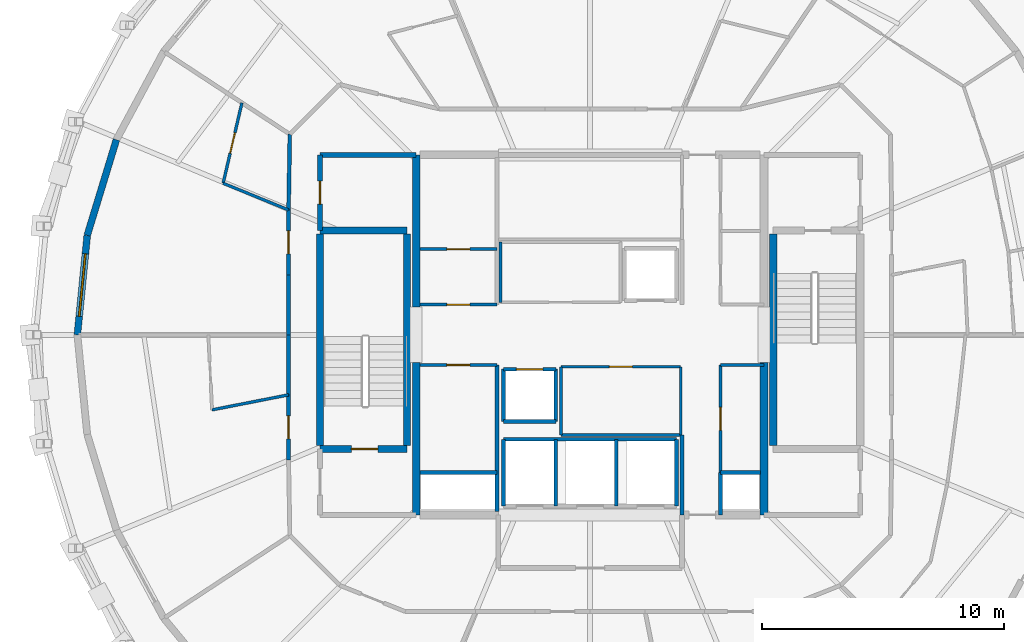
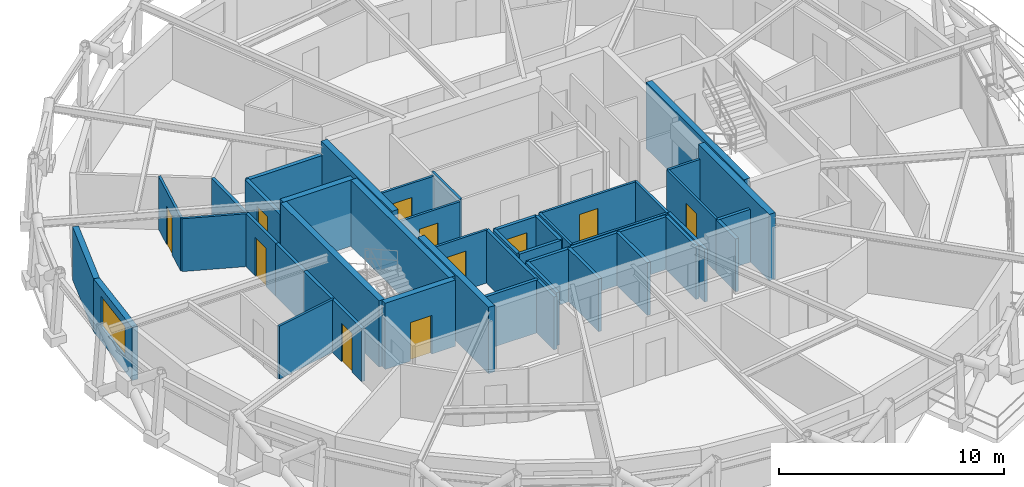
# One storey, part 8 of 12: 44 walls, 11 doors, 1 window, 12 openings.
"""IFC4 building model written with IfcOpenShell, lengths in metres."""

from ifc_helpers import new_model, si_unit, direction, frame, frame_2d, origin, place, context, subcontext, project, spatial, rectangle, extrude, material, layer, layer_set, type_object, element, fill, save


model = new_model("IFC4")

# Units and contexts
model_context = context("Model", 3, precision=1e-05, world=origin(), true_north=direction((0.0, 1.0)))
body_context = subcontext(model_context, "Body", "Model", "MODEL_VIEW")
ifc_project = project(units=[si_unit("LENGTHUNIT", "METRE"), si_unit("AREAUNIT", "SQUARE_METRE"), si_unit("VOLUMEUNIT", "CUBIC_METRE"), si_unit("PLANEANGLEUNIT", "RADIAN"), si_unit("MASSUNIT", "GRAM", prefix="KILO")], contexts=[model_context])

# Site, building, storey
site_placement = place(None, origin())
site = spatial("IfcSite", under=ifc_project, at=site_placement, CompositionType="ELEMENT")
building_placement = place(site_placement, origin())
building = spatial("IfcBuilding", under=site, at=building_placement, Name="Veldorina Hangang Commons", CompositionType="ELEMENT")
storey_placement = place(building_placement, frame((0.0, 0.0, 247.199951171875)))
storey = spatial("IfcBuildingStorey", under=building, at=storey_placement, Name="L64", CompositionType="ELEMENT", Elevation=247.199951171875)

# Walls
ifc_material_1 = material(Name="Concrete C50/60", Category="concrete")
ifc_layer_1 = layer(ifc_material_1, 0.320068359375)
ifc_layer_set_1 = layer_set([ifc_layer_1], Name="Concrete C50/60")
wall_type_1 = type_object("IfcWallType", Name="CW-RC320-C50", PredefinedType="SHEAR", material=ifc_layer_set_1)
for number, where, z_axis, x_axis, name in (
    (1, (24.800048828125, 16.550048828125, 0.0), (0.0, 0.0, 1.0), (0.0, 1.0, 0.0), "L64 W south core shear wall"),
    (2, (24.800048828125, 25.14990234375, 0.0), (0.0, 0.0, 1.0), (0.0, 1.0, 0.0), "L64 W north core shear wall"),
    (3, (39.199951171875, 16.550048828125, 0.0), (0.0, 0.0, 1.0), (0.0, 1.0, 0.0), "L64 E south core shear wall"),
):
    element("IfcWall", number, at=place(storey_placement, frame(where, z_axis=z_axis, x_axis=x_axis)), inside=storey, type_object=wall_type_1, Name=name, PredefinedType="SHEAR", context=body_context, shape_type="SweptSolid", body=[
        extrude(rectangle(XDim=6.300048828125, YDim=0.320068359375, at=frame_2d((3.14990234375, 0.0))), origin(), (0.0, 0.0, 1.0), 3.60009765625),
    ])
ifc_material_2 = material(Name="Stone Roman Travertine", Category="masonry")
ifc_layer_2 = layer(ifc_material_2, 0.280029296875)
ifc_layer_set_2 = layer_set([ifc_layer_2], Name="Stone Roman Travertine")
wall_type_2 = type_object("IfcWallType", Name="EW-TRAV-280", PredefinedType="STANDARD", material=ifc_layer_set_2)
wall_1_placement = place(storey_placement, frame((12.3955078125, 32.078369140625, 0.0), z_axis=(0.0, 0.0, 1.0), x_axis=(-0.291673136786, -0.95651805068, 0.0)))
element("IfcWall", 4, at=wall_1_placement, inside=storey, type_object=wall_type_2, Name="L64 travertine facade wall 14", PredefinedType="STANDARD", context=body_context, shape_type="SweptSolid", body=[
    extrude(rectangle(XDim=4.139892578125, YDim=0.280029296875, at=frame_2d((2.06982421875, 0.0))), origin(), (0.0, 0.0, 1.0), 2.880126953125),
])

# Wall, opening, window
wall_2_placement = place(storey_placement, frame((11.18798828125, 28.118408203125, 0.0), z_axis=(0.0, 0.0, 1.0), x_axis=(-0.098516576832, -0.995135409926, 0.0)))
wall_2 = element("IfcWall", 5, at=wall_2_placement, inside=storey, type_object=wall_type_2, Name="L64 travertine facade wall 15", PredefinedType="STANDARD", context=body_context, shape_type="SweptSolid", body=[
    extrude(rectangle(XDim=4.138427734375, YDim=0.280029296875, at=frame_2d((2.0693359375, 0.0))), origin(), (0.0, 0.0, 1.0), 2.880126953125),
])
opening_1_placement = place(wall_2_placement, frame((0.769287109375, 0.0, 0.800048828125)))
opening_1 = element("IfcOpeningElement", 6, at=opening_1_placement, cuts=wall_2, Name="Opening W-02", PredefinedType="OPENING", context=body_context, shape_type="SweptSolid", body=[
    extrude(rectangle(XDim=2.60009765625, YDim=1.64990234375, at=frame_2d((1.300048828125, 0.824951171875))), frame((0.0, 0.14990234375, 0.0), z_axis=(0.0, -1.0, 0.0), x_axis=(1.0, 0.0, 0.0)), (0.0, 0.0, 1.0), 0.300048828125),
])
ifc_material_3 = material(Name="Glass Low-E Triple IGU", Category="glass")
window_type = type_object("IfcWindowType", Name="WIN-TWR-2600", PartitioningType="SINGLE_PANEL", PredefinedType="WINDOW", material=ifc_material_3)
window_placement = place(opening_1_placement, origin())
window = element("IfcWindow", 7, at=window_placement, inside=storey, type_object=window_type, Name="L64 facade window 15", OverallHeight=1.64990234375, OverallWidth=2.60009765625, PartitioningType="SINGLE_PANEL", PredefinedType="WINDOW", context=body_context, shape_type="SweptSolid", body=[
    extrude(rectangle(XDim=2.60009765625, YDim=1.64990234375, at=frame_2d((1.300048828125, 0.824951171875))), frame((0.0, 0.030029296875, 0.0), z_axis=(0.0, -1.0, 0.0), x_axis=(1.0, 0.0, 0.0)), (0.0, 0.0, 1.0), 0.06005859375),
])
fill(opening_1, window)

# Walls
ifc_layer_3 = layer(ifc_material_1, 0.300048828125)
ifc_layer_set_3 = layer_set([ifc_layer_3], Name="Concrete C50/60")
wall_type_3 = type_object("IfcWallType", Name="SW-STAIR-300", PredefinedType="SHEAR", material=ifc_layer_set_3)
for number, where, z_axis, x_axis, name in (
    (8, (20.820068359375, 19.429931640625, 0.0), (0.0, 0.0, 1.0), (0.0, 1.0, 0.0), "L64 ST1 outer stair shear wall"),
    (9, (24.419921875, 19.429931640625, 0.0), (0.0, 0.0, 1.0), (0.0, 1.0, 0.0), "L64 ST1 inner stair shear wall"),
):
    element("IfcWall", number, at=place(storey_placement, frame(where, z_axis=z_axis, x_axis=x_axis)), inside=storey, type_object=wall_type_3, Name=name, PredefinedType="SHEAR", context=body_context, shape_type="SweptSolid", body=[
        extrude(rectangle(XDim=8.739990234375, YDim=0.300048828125, at=frame_2d((4.3701171875, 0.0))), origin(), (0.0, 0.0, 1.0), 3.60009765625),
    ])

# Wall, opening, door
wall_3_placement = place(storey_placement, frame((20.820068359375, 19.280029296875, 0.0), z_axis=(0.0, 0.0, 1.0), x_axis=(1.0, 0.0, 0.0)))
wall_3 = element("IfcWall", 10, at=wall_3_placement, inside=storey, type_object=wall_type_3, Name="L64 ST1 south stair shear wall", PredefinedType="SHEAR", context=body_context, shape_type="SweptSolid", body=[
    extrude(rectangle(XDim=3.599853515625, YDim=0.300048828125, at=frame_2d((1.7998046875, 0.0))), origin(), (0.0, 0.0, 1.0), 3.60009765625),
])
opening_2_placement = place(wall_3_placement, frame((1.300048828125, 0.0, 0.0)))
opening_2 = element("IfcOpeningElement", 11, at=opening_2_placement, cuts=wall_3, Name="Opening D-08", PredefinedType="OPENING", context=body_context, shape_type="SweptSolid", body=[
    extrude(rectangle(XDim=1.10009765625, YDim=2.10009765625, at=frame_2d((0.550048828125, 1.050048828125))), frame((0.0, 0.16015625, 0.0), z_axis=(0.0, -1.0, 0.0), x_axis=(1.0, 0.0, 0.0)), (0.0, 0.0, 1.0), 0.320068359375),
])
ifc_material_4 = material(Name="Steel Fire-Rated Smoke Seal", Category="steel")
door_type_1 = type_object("IfcDoorType", Name="DR-FIRE-1100", OperationType="SINGLE_SWING_RIGHT", PredefinedType="DOOR", material=ifc_material_4)
door_1_placement = place(opening_2_placement, origin())
door_1 = element("IfcDoor", 12, at=door_1_placement, inside=storey, type_object=door_type_1, Name="L64 Special Escape Stair ST-1 door", OperationType="SINGLE_SWING_LEFT", OverallHeight=2.10009765625, OverallWidth=1.10009765625, PredefinedType="DOOR", context=body_context, shape_type="SweptSolid", body=[
    extrude(rectangle(XDim=1.10009765625, YDim=2.10009765625, at=frame_2d((0.550048828125, 1.050048828125))), frame((0.0, 0.02490234375, 0.0), z_axis=(0.0, -1.0, 0.0), x_axis=(1.0, 0.0, 0.0)), (0.0, 0.0, 1.0), 0.050048828125),
])
fill(opening_2, door_1)

# Walls
wall_4_placement = place(storey_placement, frame((20.820068359375, 28.320068359375, 0.0), z_axis=(0.0, 0.0, 1.0), x_axis=(1.0, 0.0, 0.0)))
element("IfcWall", 13, at=wall_4_placement, inside=storey, type_object=wall_type_3, Name="L64 ST1 north stair shear wall", PredefinedType="SHEAR", context=body_context, shape_type="SweptSolid", body=[
    extrude(rectangle(XDim=3.599853515625, YDim=0.300048828125, at=frame_2d((1.7998046875, 0.0))), origin(), (0.0, 0.0, 1.0), 3.60009765625),
])
wall_5_placement = place(storey_placement, frame((39.580078125, 19.429931640625, 0.0), z_axis=(0.0, 0.0, 1.0), x_axis=(0.0, 1.0, 0.0)))
element("IfcWall", 14, at=wall_5_placement, inside=storey, type_object=wall_type_3, Name="L64 ST2 inner stair shear wall", PredefinedType="SHEAR", context=body_context, shape_type="SweptSolid", body=[
    extrude(rectangle(XDim=8.739990234375, YDim=0.300048828125, at=frame_2d((4.3701171875, 0.0))), origin(), (0.0, 0.0, 1.0), 3.60009765625),
])
ifc_material_5 = material(Name="Gypsum Fire-Rated Twin Stud Wall", Category="gypsum")
ifc_layer_4 = layer(ifc_material_5, 0.159912109375)
ifc_layer_set_4 = layer_set([ifc_layer_4], Name="Gypsum Fire-Rated Twin Stud Wall")
wall_type_4 = type_object("IfcWallType", Name="WL-FIRE-160", PredefinedType="SOLIDWALL", material=ifc_layer_set_4)
wall_6_placement = place(storey_placement, frame((35.800048828125, 16.550048828125, 0.0), z_axis=(0.0, 0.0, 1.0), x_axis=(0.0, 1.0, 0.0)))
element("IfcWall", 15, at=wall_6_placement, inside=storey, type_object=wall_type_4, Name="L64 Lift passage SW wall 009", PredefinedType="SOLIDWALL", context=body_context, shape_type="SweptSolid", body=[
    extrude(rectangle(XDim=3.300048828125, YDim=0.159912109375, at=frame_2d((1.64990234375, 0.0))), origin(), (0.0, 0.0, 1.0), 2.8701171875),
])
wall_7_placement = place(storey_placement, frame((37.39990234375, 16.550048828125, 0.0), z_axis=(0.0, 0.0, 1.0), x_axis=(0.0, 1.0, 0.0)))
element("IfcWall", 16, at=wall_7_placement, inside=storey, type_object=wall_type_4, Name="L64 Lift passage SE stub 010", PredefinedType="SOLIDWALL", context=body_context, shape_type="SweptSolid", body=[
    extrude(rectangle(XDim=1.75, YDim=0.159912109375, at=frame_2d((0.875, 0.0))), origin(), (0.0, 0.0, 1.0), 2.8701171875),
])

# Wall, opening, door
wall_8_placement = place(storey_placement, frame((28.419921875, 22.580078125, 0.0), z_axis=(0.0, 0.0, 1.0), x_axis=(1.0, 0.0, 0.0)))
wall_8 = element("IfcWall", 17, at=wall_8_placement, inside=storey, type_object=wall_type_4, Name="L64 Shuttle-high front shaft wall 019", PredefinedType="SOLIDWALL", context=body_context, shape_type="SweptSolid", body=[
    extrude(rectangle(XDim=2.16015625, YDim=0.159912109375, at=frame_2d((1.080078125, 0.0))), origin(), (0.0, 0.0, 1.0), 2.8701171875),
])
opening_3_placement = place(wall_8_placement, frame((0.530029296875, 0.0, 0.0)))
opening_3 = element("IfcOpeningElement", 18, at=opening_3_placement, cuts=wall_8, Name="Opening LD-01", PredefinedType="OPENING", context=body_context, shape_type="SweptSolid", body=[
    extrude(rectangle(XDim=1.10009765625, YDim=2.14990234375, at=frame_2d((0.550048828125, 1.074951171875))), frame((0.0, 0.08984375, 0.0), z_axis=(0.0, -1.0, 0.0), x_axis=(1.0, 0.0, 0.0)), (0.0, 0.0, 1.0), 0.179931640625),
])
ifc_material_6 = material(Name="Stainless Steel Brushed Lift Door", Category="steel")
door_type_2 = type_object("IfcDoorType", Name="DR-LIFT-1100", OperationType="SLIDING_TO_LEFT", PredefinedType="DOOR", material=ifc_material_6)
door_2_placement = place(opening_3_placement, origin())
door_2 = element("IfcDoor", 19, at=door_2_placement, inside=storey, type_object=door_type_2, Name="L64 Lift PL-H2 landing door 007", OperationType="SLIDING_TO_LEFT", OverallHeight=2.14990234375, OverallWidth=1.10009765625, PredefinedType="DOOR", context=body_context, shape_type="SweptSolid", body=[
    extrude(rectangle(XDim=1.10009765625, YDim=2.14990234375, at=frame_2d((0.550048828125, 1.074951171875))), frame((0.0, 0.02490234375, 0.0), z_axis=(0.0, -1.0, 0.0), x_axis=(1.0, 0.0, 0.0)), (0.0, 0.0, 1.0), 0.050048828125),
])
fill(opening_3, door_2)

# Walls
for number, where, z_axis, x_axis, name in (
    (20, (28.419921875, 20.419921875, 0.0), (0.0, 0.0, 1.0), (1.0, 0.0, 0.0), "L64 Shuttle-high rear shaft wall 020"),
    (21, (28.419921875, 20.419921875, 0.0), (0.0, 0.0, 1.0), (0.0, 1.0, 0.0), "L64 PL-H2 west shaft wall 021"),
    (22, (30.580078125, 20.419921875, 0.0), (0.0, 0.0, 1.0), (0.0, 1.0, 0.0), "L64 PL-H2 east shaft wall 022"),
):
    element("IfcWall", number, at=place(storey_placement, frame(where, z_axis=z_axis, x_axis=x_axis)), inside=storey, type_object=wall_type_4, Name=name, PredefinedType="SOLIDWALL", context=body_context, shape_type="SweptSolid", body=[
        extrude(rectangle(XDim=2.16015625, YDim=0.159912109375, at=frame_2d((1.080078125, 0.0))), origin(), (0.0, 0.0, 1.0), 2.8701171875),
    ])
wall_9_placement = place(storey_placement, frame((28.419921875, 19.679931640625, 0.0), z_axis=(0.0, 0.0, 1.0), x_axis=(1.0, 0.0, 0.0)))
element("IfcWall", 23, at=wall_9_placement, inside=storey, type_object=wall_type_4, Name="L64 Emergency rear shaft wall 024", PredefinedType="SOLIDWALL", context=body_context, shape_type="SweptSolid", body=[
    extrude(rectangle(XDim=7.16015625, YDim=0.159912109375, at=frame_2d((3.580078125, 0.0))), origin(), (0.0, 0.0, 1.0), 2.8701171875),
])
for number, where, z_axis, x_axis, name in (
    (24, (28.419921875, 16.919921875, 0.0), (0.0, 0.0, 1.0), (0.0, 1.0, 0.0), "L64 FFL-1 west shaft wall 025"),
    (25, (30.580078125, 16.919921875, 0.0), (0.0, 0.0, 1.0), (0.0, 1.0, 0.0), "L64 FFL-1 east shaft wall 026"),
    (26, (33.080078125, 16.919921875, 0.0), (0.0, 0.0, 1.0), (0.0, 1.0, 0.0), "L64 FFL-2 east shaft wall 027"),
    (27, (35.580078125, 16.919921875, 0.0), (0.0, 0.0, 1.0), (0.0, 1.0, 0.0), "L64 EVL-1 east shaft wall 028"),
):
    element("IfcWall", number, at=place(storey_placement, frame(where, z_axis=z_axis, x_axis=x_axis)), inside=storey, type_object=wall_type_4, Name=name, PredefinedType="SOLIDWALL", context=body_context, shape_type="SweptSolid", body=[
        extrude(rectangle(XDim=2.760009765625, YDim=0.159912109375, at=frame_2d((1.3798828125, 0.0))), origin(), (0.0, 0.0, 1.0), 2.8701171875),
    ])
wall_10_placement = place(storey_placement, frame((24.949951171875, 18.300048828125, 0.0), z_axis=(0.0, 0.0, 1.0), x_axis=(1.0, 0.0, 0.0)))
element("IfcWall", 28, at=wall_10_placement, inside=storey, type_object=wall_type_4, Name="L64 Electrical riser wall 040", PredefinedType="SOLIDWALL", context=body_context, shape_type="SweptSolid", body=[
    extrude(rectangle(XDim=3.199951171875, YDim=0.159912109375, at=frame_2d((1.60009765625, 0.0))), origin(), (0.0, 0.0, 1.0), 2.8701171875),
])
wall_11_placement = place(storey_placement, frame((28.14990234375, 16.699951171875, 0.0), z_axis=(0.0, 0.0, 1.0), x_axis=(0.0, 1.0, 0.0)))
element("IfcWall", 29, at=wall_11_placement, inside=storey, type_object=wall_type_4, Name="L64 SW core inner wall 041", PredefinedType="SOLIDWALL", context=body_context, shape_type="SweptSolid", body=[
    extrude(rectangle(XDim=6.050048828125, YDim=0.159912109375, at=frame_2d((3.02490234375, 0.0))), origin(), (0.0, 0.0, 1.0), 2.8701171875),
])
wall_12_placement = place(storey_placement, frame((37.39990234375, 18.300048828125, 0.0), z_axis=(0.0, 0.0, 1.0), x_axis=(1.0, 0.0, 0.0)))
element("IfcWall", 30, at=wall_12_placement, inside=storey, type_object=wall_type_4, Name="L64 Plumbing riser wall 042", PredefinedType="SOLIDWALL", context=body_context, shape_type="SweptSolid", body=[
    extrude(rectangle(XDim=1.650146484375, YDim=0.159912109375, at=frame_2d((0.8251953125, 0.0))), origin(), (0.0, 0.0, 1.0), 2.8701171875),
])
wall_13_placement = place(storey_placement, frame((19.5732421875, 32.30322265625, 0.0), z_axis=(0.0, 0.0, 1.0), x_axis=(-0.016981035134, -0.999855811828, 0.0)))
element("IfcWall", 31, at=wall_13_placement, inside=storey, type_object=wall_type_4, Name="L64 Compact collar outer wall 13 065", PredefinedType="SOLIDWALL", context=body_context, shape_type="SweptSolid", body=[
    extrude(rectangle(XDim=3.13427734375, YDim=0.159912109375, at=frame_2d((1.567138671875, 0.0))), origin(), (0.0, 0.0, 1.0), 2.8701171875),
])

# Wall, opening, door
wall_14_placement = place(storey_placement, frame((19.52001953125, 29.16943359375, 0.0), z_axis=(0.0, 0.0, 1.0), x_axis=(0.0, -1.0, 0.0)))
wall_14 = element("IfcWall", 32, at=wall_14_placement, inside=storey, type_object=wall_type_4, Name="L64 Compact collar outer wall 14 066", PredefinedType="SOLIDWALL", context=body_context, shape_type="SweptSolid", body=[
    extrude(rectangle(XDim=2.68701171875, YDim=0.159912109375, at=frame_2d((1.343505859375, 0.0))), origin(), (0.0, 0.0, 1.0), 2.8701171875),
])
opening_4_placement = place(wall_14_placement, frame((0.868408203125, 0.0, 0.0)))
opening_4 = element("IfcOpeningElement", 33, at=opening_4_placement, cuts=wall_14, Name="Opening D-03", PredefinedType="OPENING", context=body_context, shape_type="SweptSolid", body=[
    extrude(rectangle(XDim=0.949951171875, YDim=2.10009765625, at=frame_2d((0.47509765625, 1.050048828125))), frame((0.0, 0.08984375, 0.0), z_axis=(0.0, -1.0, 0.0), x_axis=(1.0, 0.0, 0.0)), (0.0, 0.0, 1.0), 0.179931640625),
])
ifc_material_7 = material(Name="Timber Fire-Rated Entrance Core", Category="wood")
door_type_3 = type_object("IfcDoorType", Name="DR-UNIT-950", OperationType="SINGLE_SWING_RIGHT", PredefinedType="DOOR", material=ifc_material_7)
door_3_placement = place(opening_4_placement, origin())
door_3 = element("IfcDoor", 34, at=door_3_placement, inside=storey, type_object=door_type_3, Name="L64 Studio 5 entrance door 037", OperationType="SINGLE_SWING_LEFT", OverallHeight=2.10009765625, OverallWidth=0.949951171875, PredefinedType="DOOR", context=body_context, shape_type="SweptSolid", body=[
    extrude(rectangle(XDim=0.949951171875, YDim=2.10009765625, at=frame_2d((0.47509765625, 1.050048828125))), frame((0.0, 0.02490234375, 0.0), z_axis=(0.0, -1.0, 0.0), x_axis=(1.0, 0.0, 0.0)), (0.0, 0.0, 1.0), 0.050048828125),
])
fill(opening_4, door_3)

# Walls
for number, where, z_axis, x_axis, name in (
    (35, (19.52001953125, 26.482421875, 0.0), (0.0, 0.0, 1.0), (0.0, -1.0, 0.0), "L64 Compact collar outer wall 15 067"),
    (36, (19.52001953125, 24.0, 0.0), (0.0, 0.0, 1.0), (0.0, -1.0, 0.0), "L64 Compact collar outer wall 16 068"),
):
    element("IfcWall", number, at=place(storey_placement, frame(where, z_axis=z_axis, x_axis=x_axis)), inside=storey, type_object=wall_type_4, Name=name, PredefinedType="SOLIDWALL", context=body_context, shape_type="SweptSolid", body=[
        extrude(rectangle(XDim=2.482421875, YDim=0.159912109375, at=frame_2d((1.2412109375, 0.0))), origin(), (0.0, 0.0, 1.0), 2.8701171875),
    ])

# Wall, opening, door
wall_15_placement = place(storey_placement, frame((19.52001953125, 21.517578125, 0.0), z_axis=(0.0, 0.0, 1.0), x_axis=(0.0, -1.0, 0.0)))
wall_15 = element("IfcWall", 37, at=wall_15_placement, inside=storey, type_object=wall_type_4, Name="L64 Compact collar outer wall 17 069", PredefinedType="SOLIDWALL", context=body_context, shape_type="SweptSolid", body=[
    extrude(rectangle(XDim=2.68701171875, YDim=0.159912109375, at=frame_2d((1.343505859375, 0.0))), origin(), (0.0, 0.0, 1.0), 2.8701171875),
])
opening_5_placement = place(wall_15_placement, frame((0.868408203125, 0.0, 0.0)))
opening_5 = element("IfcOpeningElement", 38, at=opening_5_placement, cuts=wall_15, Name="Opening D-03", PredefinedType="OPENING", context=body_context, shape_type="SweptSolid", body=[
    extrude(rectangle(XDim=0.949951171875, YDim=2.10009765625, at=frame_2d((0.47509765625, 1.050048828125))), frame((0.0, 0.08984375, 0.0), z_axis=(0.0, -1.0, 0.0), x_axis=(1.0, 0.0, 0.0)), (0.0, 0.0, 1.0), 0.179931640625),
])
door_4_placement = place(opening_5_placement, origin())
door_4 = element("IfcDoor", 39, at=door_4_placement, inside=storey, type_object=door_type_3, Name="L64 Studio 6 entrance door 039", OperationType="SINGLE_SWING_LEFT", OverallHeight=2.10009765625, OverallWidth=0.949951171875, PredefinedType="DOOR", context=body_context, shape_type="SweptSolid", body=[
    extrude(rectangle(XDim=0.949951171875, YDim=2.10009765625, at=frame_2d((0.47509765625, 1.050048828125))), frame((0.0, 0.02490234375, 0.0), z_axis=(0.0, -1.0, 0.0), x_axis=(1.0, 0.0, 0.0)), (0.0, 0.0, 1.0), 0.050048828125),
])
fill(opening_5, door_4)

ifc_material_8 = material(Name="Concrete Blockwork Fire Wall C30/37", Category="masonry")
ifc_layer_5 = layer(ifc_material_8, 0.199951171875)
ifc_layer_set_5 = layer_set([ifc_layer_5], Name="Concrete Blockwork Fire Wall C30/37")
wall_type_5 = type_object("IfcWallType", Name="WL-FIRE-200", PredefinedType="SOLIDWALL", material=ifc_layer_set_5)
wall_16_placement = place(storey_placement, frame((20.820068359375, 28.320068359375, 0.0), z_axis=(0.0, 0.0, 1.0), x_axis=(0.0, 1.0, 0.0)))
wall_16 = element("IfcWall", 40, at=wall_16_placement, inside=storey, type_object=wall_type_5, Name="L64 NW core room outer wall 005", PredefinedType="SOLIDWALL", context=body_context, shape_type="SweptSolid", body=[
    extrude(rectangle(XDim=3.1298828125, YDim=0.199951171875, at=frame_2d((1.56494140625, 0.0))), origin(), (0.0, 0.0, 1.0), 2.8701171875),
])
opening_6_placement = place(wall_16_placement, frame((1.090087890625, 0.0, 0.0)))
opening_6 = element("IfcOpeningElement", 41, at=opening_6_placement, cuts=wall_16, Name="Opening D-04", PredefinedType="OPENING", context=body_context, shape_type="SweptSolid", body=[
    extrude(rectangle(XDim=0.949951171875, YDim=2.10009765625, at=frame_2d((0.47509765625, 1.050048828125))), frame((0.0, 0.10986328125, 0.0), z_axis=(0.0, -1.0, 0.0), x_axis=(1.0, 0.0, 0.0)), (0.0, 0.0, 1.0), 0.219970703125),
])
ifc_material_9 = material(Name="Timber Accessible Flush Leaf", Category="wood")
door_type_4 = type_object("IfcDoorType", Name="DR-ACC-950", OperationType="SINGLE_SWING_LEFT", PredefinedType="DOOR", material=ifc_material_9)
door_5_placement = place(opening_6_placement, origin())
door_5 = element("IfcDoor", 42, at=door_5_placement, inside=storey, type_object=door_type_4, Name="L64 NW core WC door 003", OperationType="SINGLE_SWING_LEFT", OverallHeight=2.10009765625, OverallWidth=0.949951171875, PredefinedType="DOOR", context=body_context, shape_type="SweptSolid", body=[
    extrude(rectangle(XDim=0.949951171875, YDim=2.10009765625, at=frame_2d((0.47509765625, 1.050048828125))), frame((0.0, 0.02490234375, 0.0), z_axis=(0.0, -1.0, 0.0), x_axis=(1.0, 0.0, 0.0)), (0.0, 0.0, 1.0), 0.050048828125),
])
fill(opening_6, door_5)

# Walls
wall_17_placement = place(storey_placement, frame((20.820068359375, 31.449951171875, 0.0), z_axis=(0.0, 0.0, 1.0), x_axis=(1.0, 0.0, 0.0)))
element("IfcWall", 43, at=wall_17_placement, inside=storey, type_object=wall_type_5, Name="L64 NW core room north wall 006", PredefinedType="SOLIDWALL", context=body_context, shape_type="SweptSolid", body=[
    extrude(rectangle(XDim=3.97998046875, YDim=0.199951171875, at=frame_2d((1.989990234375, 0.0))), origin(), (0.0, 0.0, 1.0), 2.8701171875),
])
ifc_material_10 = material(Name="Gypsum Acoustic Stud Partition", Category="gypsum")
ifc_layer_6 = layer(ifc_material_10, 0.1201171875)
ifc_layer_set_6 = layer_set([ifc_layer_6], Name="Gypsum Acoustic Stud Partition")
wall_type_6 = type_object("IfcWallType", Name="WL-PART-120", PredefinedType="PARTITIONING", material=ifc_layer_set_6)
wall_18_placement = place(storey_placement, frame((28.300048828125, 25.35009765625, 0.0), z_axis=(0.0, 0.0, 1.0), x_axis=(0.0, 1.0, 0.0)))
element("IfcWall", 44, at=wall_18_placement, inside=storey, type_object=wall_type_6, Name="L64 Merged mid-bank west wall 034", PredefinedType="PARTITIONING", context=body_context, shape_type="SweptSolid", body=[
    extrude(rectangle(XDim=2.5, YDim=0.1201171875, at=frame_2d((1.25, 0.0))), origin(), (0.0, 0.0, 1.0), 2.8701171875),
])

# Wall, opening, door
wall_19_placement = place(storey_placement, frame((30.800048828125, 22.679931640625, 0.0), z_axis=(0.0, 0.0, 1.0), x_axis=(1.0, 0.0, 0.0)))
wall_19 = element("IfcWall", 45, at=wall_19_placement, inside=storey, type_object=wall_type_6, Name="L64 Merged shuttle north wall 036", PredefinedType="PARTITIONING", context=body_context, shape_type="SweptSolid", body=[
    extrude(rectangle(XDim=4.949951171875, YDim=0.1201171875, at=frame_2d((2.47509765625, 0.0))), origin(), (0.0, 0.0, 1.0), 2.8701171875),
])
opening_7_placement = place(wall_19_placement, frame((2.0, 0.0, 0.0)))
opening_7 = element("IfcOpeningElement", 46, at=opening_7_placement, cuts=wall_19, Name="Opening D-02", PredefinedType="OPENING", context=body_context, shape_type="SweptSolid", body=[
    extrude(rectangle(XDim=0.949951171875, YDim=2.10009765625, at=frame_2d((0.47509765625, 1.050048828125))), frame((0.0, 0.070068359375, 0.0), z_axis=(0.0, -1.0, 0.0), x_axis=(1.0, 0.0, 0.0)), (0.0, 0.0, 1.0), 0.14013671875),
])
ifc_material_11 = material(Name="Timber Solid Core Acoustic", Category="wood")
door_type_5 = type_object("IfcDoorType", Name="DR-INT-950", OperationType="SINGLE_SWING_LEFT", PredefinedType="DOOR", material=ifc_material_11)
door_6_placement = place(opening_7_placement, origin())
door_6 = element("IfcDoor", 47, at=door_6_placement, inside=storey, type_object=door_type_5, Name="L64 Floor tea pantry door 013", OperationType="SINGLE_SWING_LEFT", OverallHeight=2.10009765625, OverallWidth=0.949951171875, PredefinedType="DOOR", context=body_context, shape_type="SweptSolid", body=[
    extrude(rectangle(XDim=0.949951171875, YDim=2.10009765625, at=frame_2d((0.47509765625, 1.050048828125))), frame((0.0, 0.02490234375, 0.0), z_axis=(0.0, -1.0, 0.0), x_axis=(1.0, 0.0, 0.0)), (0.0, 0.0, 1.0), 0.050048828125),
])
fill(opening_7, door_6)

# Walls
wall_20_placement = place(storey_placement, frame((30.800048828125, 19.85009765625, 0.0), z_axis=(0.0, 0.0, 1.0), x_axis=(1.0, 0.0, 0.0)))
element("IfcWall", 48, at=wall_20_placement, inside=storey, type_object=wall_type_6, Name="L64 Merged shuttle south wall 037", PredefinedType="PARTITIONING", context=body_context, shape_type="SweptSolid", body=[
    extrude(rectangle(XDim=4.949951171875, YDim=0.1201171875, at=frame_2d((2.47509765625, 0.0))), origin(), (0.0, 0.0, 1.0), 2.8701171875),
])
for number, where, z_axis, x_axis, name in (
    (49, (30.800048828125, 19.85009765625, 0.0), (0.0, 0.0, 1.0), (0.0, 1.0, 0.0), "L64 Merged shuttle west wall 038"),
    (50, (35.75, 19.85009765625, 0.0), (0.0, 0.0, 1.0), (0.0, 1.0, 0.0), "L64 Merged shuttle east wall 039"),
):
    element("IfcWall", number, at=place(storey_placement, frame(where, z_axis=z_axis, x_axis=x_axis)), inside=storey, type_object=wall_type_6, Name=name, PredefinedType="PARTITIONING", context=body_context, shape_type="SweptSolid", body=[
        extrude(rectangle(XDim=2.829833984375, YDim=0.1201171875, at=frame_2d((1.4150390625, 0.0))), origin(), (0.0, 0.0, 1.0), 2.8701171875),
    ])

# Wall, opening, door
wall_21_placement = place(storey_placement, frame((24.949951171875, 25.25, 0.0), z_axis=(0.0, 0.0, 1.0), x_axis=(1.0, 0.0, 0.0)))
wall_21 = element("IfcWall", 51, at=wall_21_placement, inside=storey, type_object=wall_type_6, Name="L64 NW service south wall 044", PredefinedType="PARTITIONING", context=body_context, shape_type="SweptSolid", body=[
    extrude(rectangle(XDim=3.199951171875, YDim=0.1201171875, at=frame_2d((1.60009765625, 0.0))), origin(), (0.0, 0.0, 1.0), 2.8701171875),
])
opening_8_placement = place(wall_21_placement, frame((1.125, 0.0, 0.0)))
opening_8 = element("IfcOpeningElement", 52, at=opening_8_placement, cuts=wall_21, Name="Opening D-02", PredefinedType="OPENING", context=body_context, shape_type="SweptSolid", body=[
    extrude(rectangle(XDim=0.949951171875, YDim=2.10009765625, at=frame_2d((0.47509765625, 1.050048828125))), frame((0.0, 0.070068359375, 0.0), z_axis=(0.0, -1.0, 0.0), x_axis=(1.0, 0.0, 0.0)), (0.0, 0.0, 1.0), 0.14013671875),
])
door_7_placement = place(opening_8_placement, origin())
door_7 = element("IfcDoor", 53, at=door_7_placement, inside=storey, type_object=door_type_5, Name="L64 Housekeeping pantry door 014", OperationType="SINGLE_SWING_RIGHT", OverallHeight=2.10009765625, OverallWidth=0.949951171875, PredefinedType="DOOR", context=body_context, shape_type="SweptSolid", body=[
    extrude(rectangle(XDim=0.949951171875, YDim=2.10009765625, at=frame_2d((0.47509765625, 1.050048828125))), frame((0.0, 0.02490234375, 0.0), z_axis=(0.0, -1.0, 0.0), x_axis=(1.0, 0.0, 0.0)), (0.0, 0.0, 1.0), 0.050048828125),
])
fill(opening_8, door_7)

wall_22_placement = place(storey_placement, frame((24.949951171875, 22.75, 0.0), z_axis=(0.0, 0.0, 1.0), x_axis=(1.0, 0.0, 0.0)))
wall_22 = element("IfcWall", 54, at=wall_22_placement, inside=storey, type_object=wall_type_6, Name="L64 SW service north wall 045", PredefinedType="PARTITIONING", context=body_context, shape_type="SweptSolid", body=[
    extrude(rectangle(XDim=3.199951171875, YDim=0.1201171875, at=frame_2d((1.60009765625, 0.0))), origin(), (0.0, 0.0, 1.0), 2.8701171875),
])
opening_9_placement = place(wall_22_placement, frame((1.125, 0.0, 0.0)))
opening_9 = element("IfcOpeningElement", 55, at=opening_9_placement, cuts=wall_22, Name="Opening D-02", PredefinedType="OPENING", context=body_context, shape_type="SweptSolid", body=[
    extrude(rectangle(XDim=0.949951171875, YDim=2.10009765625, at=frame_2d((0.47509765625, 1.050048828125))), frame((0.0, 0.070068359375, 0.0), z_axis=(0.0, -1.0, 0.0), x_axis=(1.0, 0.0, 0.0)), (0.0, 0.0, 1.0), 0.14013671875),
])
door_8_placement = place(opening_9_placement, origin())
door_8 = element("IfcDoor", 56, at=door_8_placement, inside=storey, type_object=door_type_5, Name="L64 Waste sorting door 016", OperationType="SINGLE_SWING_RIGHT", OverallHeight=2.10009765625, OverallWidth=0.949951171875, PredefinedType="DOOR", context=body_context, shape_type="SweptSolid", body=[
    extrude(rectangle(XDim=0.949951171875, YDim=2.10009765625, at=frame_2d((0.47509765625, 1.050048828125))), frame((0.0, 0.02490234375, 0.0), z_axis=(0.0, -1.0, 0.0), x_axis=(1.0, 0.0, 0.0)), (0.0, 0.0, 1.0), 0.050048828125),
])
fill(opening_9, door_8)

wall_23_placement = place(storey_placement, frame((37.39990234375, 18.300048828125, 0.0), z_axis=(0.0, 0.0, 1.0), x_axis=(0.0, 1.0, 0.0)))
wall_23 = element("IfcWall", 57, at=wall_23_placement, inside=storey, type_object=wall_type_6, Name="L64 SE strip lobby wall 048", PredefinedType="PARTITIONING", context=body_context, shape_type="SweptSolid", body=[
    extrude(rectangle(XDim=4.449951171875, YDim=0.1201171875, at=frame_2d((2.22509765625, 0.0))), origin(), (0.0, 0.0, 1.0), 2.8701171875),
])
opening_10_placement = place(wall_23_placement, frame((1.75, 0.0, 0.0)))
opening_10 = element("IfcOpeningElement", 58, at=opening_10_placement, cuts=wall_23, Name="Opening D-02", PredefinedType="OPENING", context=body_context, shape_type="SweptSolid", body=[
    extrude(rectangle(XDim=0.949951171875, YDim=2.10009765625, at=frame_2d((0.47509765625, 1.050048828125))), frame((0.0, 0.070068359375, 0.0), z_axis=(0.0, -1.0, 0.0), x_axis=(1.0, 0.0, 0.0)), (0.0, 0.0, 1.0), 0.14013671875),
])
door_9_placement = place(opening_10_placement, origin())
door_9 = element("IfcDoor", 59, at=door_9_placement, inside=storey, type_object=door_type_5, Name="L64 Cleaners supply door 019", OperationType="SINGLE_SWING_LEFT", OverallHeight=2.10009765625, OverallWidth=0.949951171875, PredefinedType="DOOR", context=body_context, shape_type="SweptSolid", body=[
    extrude(rectangle(XDim=0.949951171875, YDim=2.10009765625, at=frame_2d((0.47509765625, 1.050048828125))), frame((0.0, 0.02490234375, 0.0), z_axis=(0.0, -1.0, 0.0), x_axis=(1.0, 0.0, 0.0)), (0.0, 0.0, 1.0), 0.050048828125),
])
fill(opening_10, door_9)

# Wall
wall_24_placement = place(storey_placement, frame((37.39990234375, 22.75, 0.0), z_axis=(0.0, 0.0, 1.0), x_axis=(1.0, 0.0, 0.0)))
element("IfcWall", 60, at=wall_24_placement, inside=storey, type_object=wall_type_6, Name="L64 SE strip north return wall 049", PredefinedType="PARTITIONING", context=body_context, shape_type="SweptSolid", body=[
    extrude(rectangle(XDim=1.800048828125, YDim=0.1201171875, at=frame_2d((0.89990234375, 0.0))), origin(), (0.0, 0.0, 1.0), 2.8701171875),
])

# Wall, opening, door
wall_25_placement = place(storey_placement, frame((24.949951171875, 27.550048828125, 0.0), z_axis=(0.0, 0.0, 1.0), x_axis=(1.0, 0.0, 0.0)))
wall_25 = element("IfcWall", 61, at=wall_25_placement, inside=storey, type_object=wall_type_6, Name="L64 NW mid wall 050", PredefinedType="PARTITIONING", context=body_context, shape_type="SweptSolid", body=[
    extrude(rectangle(XDim=3.199951171875, YDim=0.1201171875, at=frame_2d((1.60009765625, 0.0))), origin(), (0.0, 0.0, 1.0), 2.8701171875),
])
opening_11_placement = place(wall_25_placement, frame((1.125, 0.0, 0.0)))
opening_11 = element("IfcOpeningElement", 62, at=opening_11_placement, cuts=wall_25, Name="Opening D-02", PredefinedType="OPENING", context=body_context, shape_type="SweptSolid", body=[
    extrude(rectangle(XDim=0.949951171875, YDim=2.10009765625, at=frame_2d((0.47509765625, 1.050048828125))), frame((0.0, 0.070068359375, 0.0), z_axis=(0.0, -1.0, 0.0), x_axis=(1.0, 0.0, 0.0)), (0.0, 0.0, 1.0), 0.14013671875),
])
door_10_placement = place(opening_11_placement, origin())
door_10 = element("IfcDoor", 63, at=door_10_placement, inside=storey, type_object=door_type_5, Name="L64 Bedding store door 015", OperationType="SINGLE_SWING_LEFT", OverallHeight=2.10009765625, OverallWidth=0.949951171875, PredefinedType="DOOR", context=body_context, shape_type="SweptSolid", body=[
    extrude(rectangle(XDim=0.949951171875, YDim=2.10009765625, at=frame_2d((0.47509765625, 1.050048828125))), frame((0.0, 0.02490234375, 0.0), z_axis=(0.0, -1.0, 0.0), x_axis=(1.0, 0.0, 0.0)), (0.0, 0.0, 1.0), 0.050048828125),
])
fill(opening_11, door_10)

wall_26_placement = place(storey_placement, frame((17.5908203125, 33.6044921875, 0.0), z_axis=(0.0, 0.0, 1.0), x_axis=(-0.22755463123, -0.973765315569, 0.0)))
wall_26 = element("IfcWall", 64, at=wall_26_placement, inside=storey, type_object=wall_type_6, Name="L64 Studio 5 bath front wall 113", PredefinedType="PARTITIONING", context=body_context, shape_type="SweptSolid", body=[
    extrude(rectangle(XDim=3.419189453125, YDim=0.1201171875, at=frame_2d((1.70947265625, 0.0))), origin(), (0.0, 0.0, 1.0), 2.8701171875),
])
opening_12_placement = place(wall_26_placement, frame((1.27978515625, 0.0, 0.0)))
opening_12 = element("IfcOpeningElement", 65, at=opening_12_placement, cuts=wall_26, Name="Opening D-01", PredefinedType="OPENING", context=body_context, shape_type="SweptSolid", body=[
    extrude(rectangle(XDim=0.860107421875, YDim=2.10009765625, at=frame_2d((0.43017578125, 1.050048828125))), frame((0.0, 0.070068359375, 0.0), z_axis=(0.0, -1.0, 0.0), x_axis=(1.0, 0.0, 0.0)), (0.0, 0.0, 1.0), 0.14013671875),
])
ifc_material_12 = material(Name="Timber Moisture-Resistant Core", Category="wood")
door_type_6 = type_object("IfcDoorType", Name="DR-WET-860", OperationType="SINGLE_SWING_LEFT", PredefinedType="DOOR", material=ifc_material_12)
door_11_placement = place(opening_12_placement, origin())
door_11 = element("IfcDoor", 66, at=door_11_placement, inside=storey, type_object=door_type_6, Name="L64 Studio 5 bathroom door 036", OperationType="SINGLE_SWING_RIGHT", OverallHeight=2.10009765625, OverallWidth=0.860107421875, PredefinedType="DOOR", context=body_context, shape_type="SweptSolid", body=[
    extrude(rectangle(XDim=0.860107421875, YDim=2.10009765625, at=frame_2d((0.43017578125, 1.050048828125))), frame((0.0, 0.02490234375, 0.0), z_axis=(0.0, -1.0, 0.0), x_axis=(1.0, 0.0, 0.0)), (0.0, 0.0, 1.0), 0.050048828125),
])
fill(opening_12, door_11)

# Walls
wall_27_placement = place(storey_placement, frame((19.52001953125, 29.16943359375, 0.0), z_axis=(0.0, 0.0, 1.0), x_axis=(-0.925792790323, 0.37803136032, 0.0)))
element("IfcWall", 67, at=wall_27_placement, inside=storey, type_object=wall_type_6, Name="L64 Studio 5 bath side wall 114", PredefinedType="PARTITIONING", context=body_context, shape_type="SweptSolid", body=[
    extrude(rectangle(XDim=2.92431640625, YDim=0.1201171875, at=frame_2d((1.462158203125, 0.0))), origin(), (0.0, 0.0, 1.0), 2.8701171875),
])
wall_28_placement = place(storey_placement, frame((19.52001953125, 21.517578125, 0.0), z_axis=(0.0, 0.0, 1.0), x_axis=(-0.981270024306, -0.192637326076, 0.0)))
element("IfcWall", 68, at=wall_28_placement, inside=storey, type_object=wall_type_6, Name="L64 Studio 6 bath side wall 117", PredefinedType="PARTITIONING", context=body_context, shape_type="SweptSolid", body=[
    extrude(rectangle(XDim=3.226806640625, YDim=0.1201171875, at=frame_2d((1.61328125, 0.0))), origin(), (0.0, 0.0, 1.0), 2.8701171875),
])

save(model, "model.ifc")
